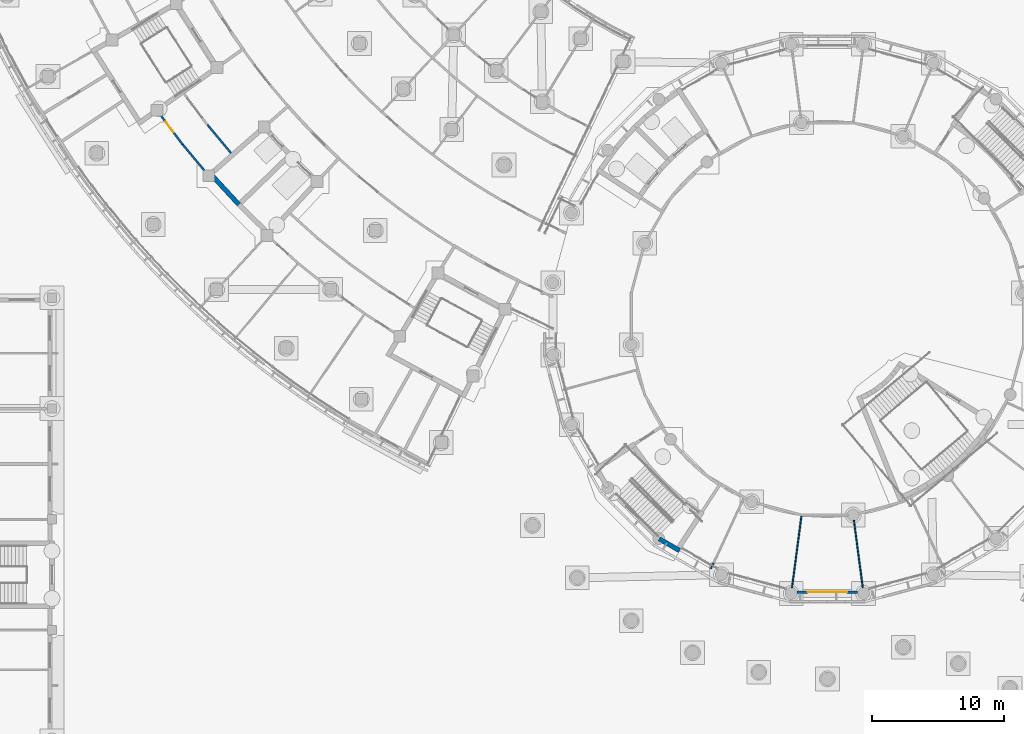
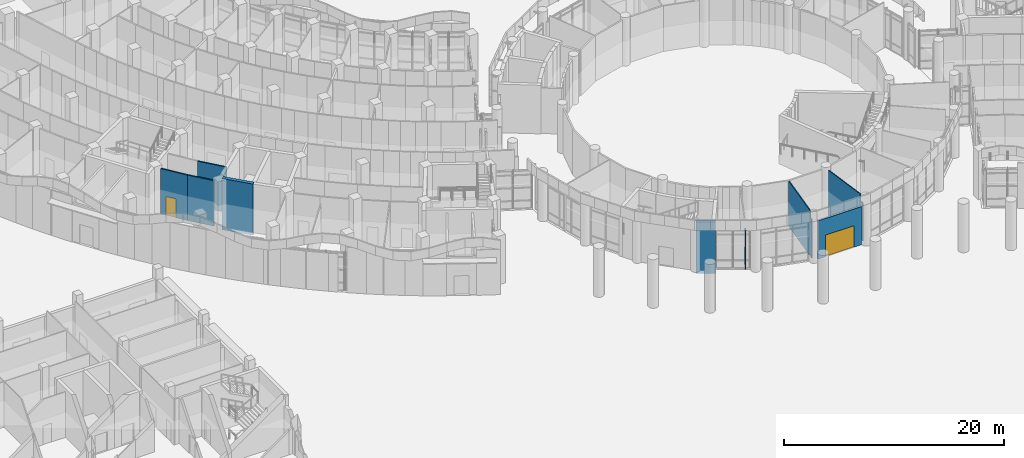
# One storey, part 59 of 146: 11 walls, 2 doors, 2 openings.
"""IFC4 building model written with IfcOpenShell, lengths in metres."""

from ifc_helpers import new_model, si_unit, direction, frame, frame_2d, origin, place, context, subcontext, project, spatial, rectangle, extrude, material, layer, layer_set, type_object, element, fill, save


model = new_model("IFC4")

# Units and contexts
model_context = context("Model", 3, precision=1e-05, world=origin(), true_north=direction((0.0, 1.0)))
body_context = subcontext(model_context, "Body", "Model", "MODEL_VIEW")
ifc_project = project(units=[si_unit("LENGTHUNIT", "METRE"), si_unit("AREAUNIT", "SQUARE_METRE"), si_unit("VOLUMEUNIT", "CUBIC_METRE"), si_unit("PLANEANGLEUNIT", "RADIAN"), si_unit("MASSUNIT", "GRAM", prefix="KILO")], contexts=[model_context])

# Site, building, storey
site_placement = place(None, origin())
site = spatial("IfcSite", under=ifc_project, at=site_placement, CompositionType="ELEMENT")
building_placement = place(site_placement, origin())
building = spatial("IfcBuilding", under=site, at=building_placement, Name="Bougainvillea Quay General Hospital", CompositionType="ELEMENT")
storey_placement = place(building_placement, origin())
storey = spatial("IfcBuildingStorey", under=building, at=storey_placement, Name="L00", CompositionType="ELEMENT", Elevation=0.0)

# Wall, opening, door
ifc_material_1 = material(Name="Insulated aluminium panel cladding, anodised silver", Category="aluminium")
ifc_layer_1 = layer(ifc_material_1, 0.199951171875)
ifc_layer_set_1 = layer_set([ifc_layer_1], Name="Insulated aluminium panel cladding, anodised silver")
wall_type_1 = type_object("IfcWallType", Name="Entrance portal wall 200", PredefinedType="STANDARD", material=ifc_layer_set_1)
wall_1_placement = place(storey_placement, frame((106.908935546875, 53.280029296875, 0.0), z_axis=(0.0, 0.0, 1.0), x_axis=(1.0, 0.0, 0.0)))
wall_1 = element("IfcWall", 1, at=wall_1_placement, inside=storey, type_object=wall_type_1, Name="External wall cw/V1/L00/e16/portal0/00a", PredefinedType="STANDARD", context=body_context, shape_type="SweptSolid", body=[
    extrude(rectangle(XDim=4.58203125, YDim=0.199951171875, at=frame_2d((2.291015625, 0.0))), origin(), (0.0, 0.0, 1.0), 4.25),
])
opening_1_placement = place(wall_1_placement, frame((0.791015625, 0.0, 0.0)))
opening_1 = element("IfcOpeningElement", 2, at=opening_1_placement, cuts=wall_1, Name="Opening L00.361", PredefinedType="OPENING", context=body_context, shape_type="SweptSolid", body=[
    extrude(rectangle(XDim=3.0, YDim=2.39990234375, at=frame_2d((1.5, 1.199951171875))), frame((0.0, 0.10986328125, 0.0), z_axis=(0.0, -1.0, 0.0), x_axis=(1.0, 0.0, 0.0)), (0.0, 0.0, 1.0), 0.219970703125),
])
ifc_material_2 = material(Name="Aluminium and toughened glass sliding door set, anodised", Category="aluminium")
door_type_1 = type_object("IfcDoorType", Name="Automatic sliding entrance door 3000x2400", OperationType="SLIDING_TO_LEFT", PredefinedType="DOOR", material=ifc_material_2)
door_1_placement = place(opening_1_placement, frame((3.0, 0.0, 0.0), z_axis=(0.0, 0.0, 1.0), x_axis=(-1.0, 0.0, 0.0)))
door_1 = element("IfcDoor", 3, at=door_1_placement, inside=storey, type_object=door_type_1, Name="Main entrance", OperationType="SINGLE_SWING_LEFT", OverallHeight=2.39990234375, OverallWidth=3.0, PredefinedType="DOOR", context=body_context, shape_type="SweptSolid", body=[
    extrude(rectangle(XDim=3.0, YDim=2.39990234375, at=frame_2d((1.5, 1.199951171875))), frame((0.0, 0.02490234375, 0.0), z_axis=(0.0, -1.0, 0.0), x_axis=(1.0, 0.0, 0.0)), (0.0, 0.0, 1.0), 0.050048828125),
])
fill(opening_1, door_1)

# Walls
ifc_material_3 = material(Name="Gypsum board partition on steel studs", Category="steel")
ifc_layer_2 = layer(ifc_material_3, 0.10009765625)
ifc_layer_set_2 = layer_set([ifc_layer_2], Name="Gypsum board partition on steel studs")
wall_type_2 = type_object("IfcWallType", Name="Partition 100 Gypsum board partition", PredefinedType="PARTITIONING", material=ifc_layer_set_2)
wall_2_placement = place(storey_placement, frame((106.517333984375, 53.623046875, 0.0), z_axis=(0.0, 0.0, 1.0), x_axis=(0.13038236842, 0.991463785524, 0.0)))
element("IfcWall", 4, at=wall_2_placement, inside=storey, type_object=wall_type_2, Name="Partition 100 mm", PredefinedType="PARTITIONING", context=body_context, shape_type="SweptSolid", body=[
    extrude(rectangle(XDim=0.35009765625, YDim=0.10009765625, at=frame_2d((0.175048828125, 0.0))), origin(), (0.0, 0.0, 1.0), 4.280029296875),
])
wall_3_placement = place(storey_placement, frame((106.56298828125, 53.97021484375, 0.0), z_axis=(0.0, 0.0, 1.0), x_axis=(0.130505083023, 0.991447640224, 0.0)))
element("IfcWall", 5, at=wall_3_placement, inside=storey, type_object=wall_type_2, Name="Partition 100 mm", PredefinedType="PARTITIONING", context=body_context, shape_type="SweptSolid", body=[
    extrude(rectangle(XDim=5.1201171875, YDim=0.10009765625, at=frame_2d((2.56005859375, 0.0))), origin(), (0.0, 0.0, 1.0), 5.050048828125),
])
wall_4_placement = place(storey_placement, frame((111.209716796875, 58.734619140625, 0.0), z_axis=(0.0, 0.0, 1.0), x_axis=(0.130516279849, -0.991446166312, 0.0)))
element("IfcWall", 6, at=wall_4_placement, inside=storey, type_object=wall_type_2, Name="Partition 100 mm", PredefinedType="PARTITIONING", context=body_context, shape_type="SweptSolid", body=[
    extrude(rectangle(XDim=4.805419921875, YDim=0.10009765625, at=frame_2d((2.40283203125, 0.0))), origin(), (0.0, 0.0, 1.0), 5.050048828125),
])
wall_5_placement = place(storey_placement, frame((111.8369140625, 53.97021484375, 0.0), z_axis=(0.0, 0.0, 1.0), x_axis=(0.131067654089, -0.991373426138, 0.0)))
element("IfcWall", 7, at=wall_5_placement, inside=storey, type_object=wall_type_2, Name="Partition 100 mm", PredefinedType="PARTITIONING", context=body_context, shape_type="SweptSolid", body=[
    extrude(rectangle(XDim=0.35009765625, YDim=0.10009765625, at=frame_2d((0.175048828125, 0.0))), origin(), (0.0, 0.0, 1.0), 4.280029296875),
])
wall_6_placement = place(storey_placement, frame((100.367919921875, 55.05908203125, 0.0), z_axis=(0.0, 0.0, 1.0), x_axis=(0.422826789028, 0.906210519957, 0.0)))
element("IfcWall", 8, at=wall_6_placement, inside=storey, type_object=wall_type_2, Name="Partition 100 mm", PredefinedType="PARTITIONING", context=body_context, shape_type="SweptSolid", body=[
    extrude(rectangle(XDim=0.45556640625, YDim=0.10009765625, at=frame_2d((0.227783203125, 0.0))), origin(), (0.0, 0.0, 1.0), 4.280029296875),
])

# Wall, opening, door
ifc_material_4 = material(Name="Gypsum board partition on steel studs, insulated", Category="steel")
ifc_layer_3 = layer(ifc_material_4, 0.14990234375)
ifc_layer_set_3 = layer_set([ifc_layer_3], Name="Gypsum board partition on steel studs, insulated")
wall_type_3 = type_object("IfcWallType", Name="Partition 150 Gypsum board partition EI 30", PredefinedType="PARTITIONING", material=ifc_layer_set_3)
wall_7_placement = place(storey_placement, frame((58.695068359375, 89.372802734375, 0.0), z_axis=(0.0, 0.0, 1.0), x_axis=(0.600189191088, -0.799858071724, 0.0)))
wall_7 = element("IfcWall", 9, at=wall_7_placement, inside=storey, type_object=wall_type_3, Name="Partition 150 mm EI 30", PredefinedType="PARTITIONING", context=body_context, shape_type="SweptSolid", body=[
    extrude(rectangle(XDim=2.683837890625, YDim=0.14990234375, at=frame_2d((1.341796875, 0.0))), origin(), (0.0, 0.0, 1.0), 5.050048828125),
])
opening_2_placement = place(wall_7_placement, frame((0.5263671875, 0.0, 0.0)))
opening_2 = element("IfcOpeningElement", 10, at=opening_2_placement, cuts=wall_7, Name="Opening L00.253", PredefinedType="OPENING", context=body_context, shape_type="SweptSolid", body=[
    extrude(rectangle(XDim=1.0, YDim=2.10009765625, at=frame_2d((0.5, 1.050048828125))), frame((0.0, 0.0849609375, 0.0), z_axis=(0.0, -1.0, 0.0), x_axis=(1.0, 0.0, 0.0)), (0.0, 0.0, 1.0), 0.169921875),
])
ifc_material_5 = material(Name="Solid-core timber door leaf in steel frame", Category="steel")
door_type_2 = type_object("IfcDoorType", Name="Single leaf door 1000x2100 FD30S", OperationType="NOTDEFINED", PredefinedType="DOOR", material=ifc_material_5)
door_2_placement = place(opening_2_placement, frame((1.0, 0.0, 0.0), z_axis=(0.0, 0.0, 1.0), x_axis=(-1.0, 0.0, 0.0)))
door_2 = element("IfcDoor", 11, at=door_2_placement, inside=storey, type_object=door_type_2, Name="DT15 L00.253", OperationType="SINGLE_SWING_RIGHT", OverallHeight=2.10009765625, OverallWidth=1.0, PredefinedType="DOOR", context=body_context, shape_type="SweptSolid", body=[
    extrude(rectangle(XDim=1.0, YDim=2.10009765625, at=frame_2d((0.5, 1.050048828125))), frame((0.0, 0.02490234375, 0.0), z_axis=(0.0, -1.0, 0.0), x_axis=(1.0, 0.0, 0.0)), (0.0, 0.0, 1.0), 0.050048828125),
])
fill(opening_2, door_2)

# Walls
wall_8_placement = place(storey_placement, frame((60.306640625, 87.231201171875, 0.0), z_axis=(0.0, 0.0, 1.0), x_axis=(0.64023135863, -0.768182144694, 0.0)))
element("IfcWall", 12, at=wall_8_placement, inside=storey, type_object=wall_type_3, Name="Partition 150 mm EI 30", PredefinedType="PARTITIONING", context=body_context, shape_type="SweptSolid", body=[
    extrude(rectangle(XDim=2.556884765625, YDim=0.14990234375, at=frame_2d((1.2783203125, 0.0))), origin(), (0.0, 0.0, 1.0), 5.050048828125),
])
wall_9_placement = place(storey_placement, frame((62.188720703125, 88.72021484375, 0.0), z_axis=(0.0, 0.0, 1.0), x_axis=(0.640253147886, -0.7681639842, 0.0)))
element("IfcWall", 13, at=wall_9_placement, inside=storey, type_object=wall_type_3, Name="Partition 150 mm EI 30", PredefinedType="PARTITIONING", context=body_context, shape_type="SweptSolid", body=[
    extrude(rectangle(XDim=2.794189453125, YDim=0.14990234375, at=frame_2d((1.39697265625, 0.0))), origin(), (0.0, 0.0, 1.0), 5.050048828125),
])
ifc_material_6 = material(Name="Concrete C40", Category="concrete")
ifc_layer_4 = layer(ifc_material_6, 0.35009765625)
ifc_layer_set_4 = layer_set([ifc_layer_4], Name="Concrete C40")
wall_type_4 = type_object("IfcWallType", Name="RC SHEAR WALL 350 C40", PredefinedType="SHEAR", material=ifc_layer_set_4)
wall_10_placement = place(storey_placement, frame((62.5556640625, 84.8583984375, -0.300048828125), z_axis=(0.0, 0.0, 1.0), x_axis=(0.67818124014, -0.73489469009, 0.0)))
element("IfcWall", 14, at=wall_10_placement, inside=storey, type_object=wall_type_4, Name="Shear wall L00", PredefinedType="SHEAR", context=body_context, shape_type="SweptSolid", body=[
    extrude(rectangle(XDim=2.974609375, YDim=0.35009765625, at=frame_2d((1.4873046875, 0.0))), origin(), (0.0, 0.0, 1.0), 5.699951171875),
])
wall_11_placement = place(storey_placement, frame((96.43603515625, 57.328369140625, -0.300048828125), z_axis=(0.0, 0.0, 1.0), x_axis=(0.866050214951, -0.499957023337, 0.0)))
element("IfcWall", 15, at=wall_11_placement, inside=storey, type_object=wall_type_4, Name="Shear wall L00", PredefinedType="SHEAR", context=body_context, shape_type="SweptSolid", body=[
    extrude(rectangle(XDim=1.802001953125, YDim=0.35009765625, at=frame_2d((0.90087890625, 0.0))), origin(), (0.0, 0.0, 1.0), 5.699951171875),
])

save(model, "model.ifc")
